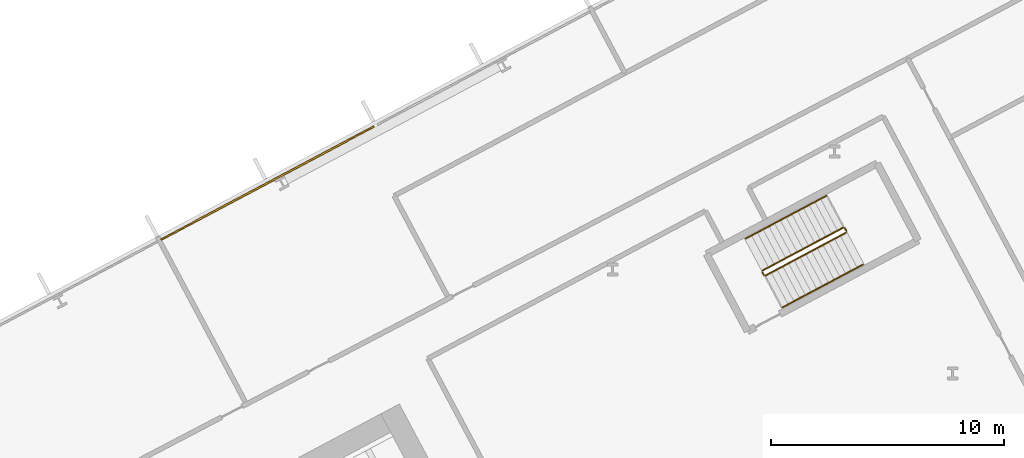
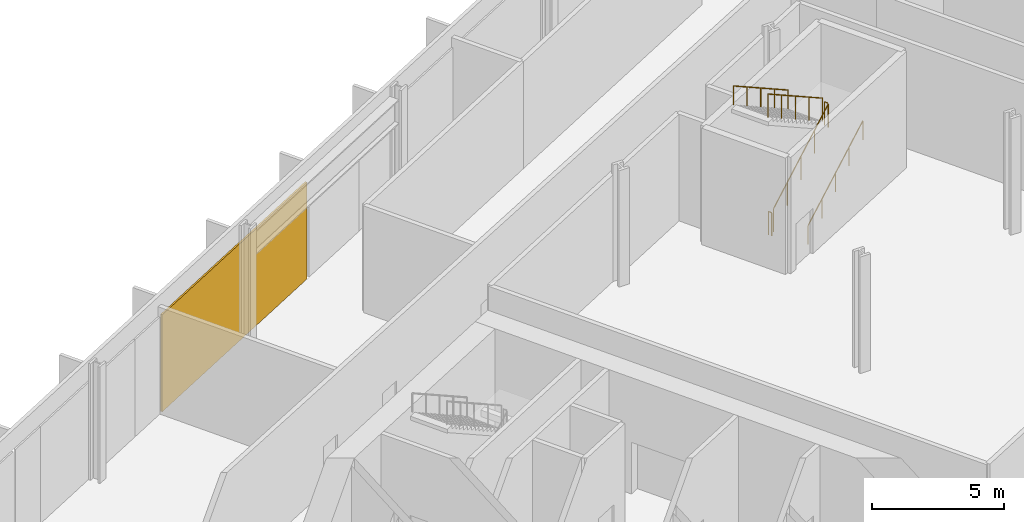
# One storey, part 30 of 31: 6 railings, 1 covering, 1 element without a shape of its own.
"""IFC4 building model written with IfcOpenShell, lengths in metres."""

from ifc_helpers import new_model, si_unit, direction, frame, origin, origin_2d, place, context, subcontext, project, spatial, polyline, rectangle, outline, extrude, material, layer, layer_set, type_object, element, aggregate, save


model = new_model("IFC4")

# Units and contexts
model_context = context("Model", 3, precision=1e-05, world=origin(), true_north=direction((0.0, 1.0)))
body_context = subcontext(model_context, "Body", "Model", "MODEL_VIEW")
ifc_project = project(units=[si_unit("LENGTHUNIT", "METRE"), si_unit("AREAUNIT", "SQUARE_METRE"), si_unit("VOLUMEUNIT", "CUBIC_METRE"), si_unit("PLANEANGLEUNIT", "RADIAN"), si_unit("MASSUNIT", "GRAM", prefix="KILO")], contexts=[model_context])

# Site, building, storey
site_placement = place(None, origin())
site = spatial("IfcSite", under=ifc_project, at=site_placement, CompositionType="ELEMENT")
building_placement = place(site_placement, origin())
building = spatial("IfcBuilding", under=site, at=building_placement, Name="Cormorant Relay Tower", CompositionType="ELEMENT")
storey_placement = place(building_placement, frame((0.0, 0.0, 12.199951171875)))
storey = spatial("IfcBuildingStorey", under=building, at=storey_placement, Name="L02", CompositionType="ELEMENT", Elevation=12.199951171875)

# Curtain wall, covering
ifc_material_1 = material(Name="Aluminium 6063-T6 anodised bronze", Category="aluminium")
ifc_layer_1 = layer(ifc_material_1, 0.235107421875)
ifc_layer_set_1 = layer_set([ifc_layer_1], Name="CW6 data hall curtain wall with mineral wool panels")
curtain_wall_type = type_object("IfcCurtainWallType", Name="CW6 data hall curtain wall with mineral wool panels", PredefinedType="NOTDEFINED", material=ifc_layer_set_1)
curtain_wall_placement = place(storey_placement, origin())
curtain_wall = element("IfcCurtainWall", 1, at=curtain_wall_placement, inside=storey, type_object=curtain_wall_type, Name="CW6 curtain wall 6", PredefinedType="NOTDEFINED")
ifc_material_2 = material(Name="Mineral wool cored anodised bronze aluminium cassette panel", Category="aluminium")
ifc_layer_2 = layer(ifc_material_2, 0.074951171875)
ifc_layer_set_2 = layer_set([ifc_layer_2], Name="CW6 mineral wool cassette panel 75")
covering_type = type_object("IfcCoveringType", Name="CW6 mineral wool cassette panel 75", PredefinedType="CLADDING", material=ifc_layer_set_2)
covering_placement = place(storey_placement, frame((23.193603515625, 36.15869140625, 0.0), z_axis=(0.0, 0.0, 1.0), x_axis=(-0.882947592859, -0.469471562786, 0.0)))
covering = element("IfcCovering", 2, at=covering_placement, type_object=covering_type, Name="CW6 panel S05", PredefinedType="CLADDING", context=body_context, shape_type="SweptSolid", body=[
    extrude(rectangle(XDim=10.365234375, YDim=0.074951171875, at=origin_2d()), origin(), (0.0, 0.0, 1.0), 4.5),
])
aggregate(curtain_wall, [covering])

# Railings
ifc_material_3 = material(Name="Steel ASTM A572 Grade 50 (Fy 345 MPa)", Category="steel")
railing_type_1 = type_object("IfcRailingType", Name="Stair guard 1100", PredefinedType="GUARDRAIL", material=ifc_material_3)
railing_1_placement = place(storey_placement, frame((44.583740234375, 32.186279296875, 0.179931640625)))
element("IfcRailing", 3, at=railing_1_placement, inside=storey, type_object=railing_type_1, Name="L02 RB1 stair guard 1", PredefinedType="GUARDRAIL", context=body_context, shape_type="SweptSolid", body=[
    extrude(outline(polyline([(0.022216796875, 0.00927734375), (0.00927734375, 0.022216796875), (-0.00927734375, 0.022216796875), (-0.022216796875, 0.00927734375), (-0.022216796875, -0.00927734375), (-0.00927734375, -0.022216796875), (0.00927734375, -0.022216796875), (0.022216796875, -0.00927734375), (0.022216796875, 0.00927734375)])), frame((0.0, 0.0, 1.076171875), z_axis=(0.74271721126, 0.394907409077, 0.540758062681), x_axis=(-0.469469396681, 0.882948744594, 0.0)), (0.0, 0.0, 1.0), 4.66015625),
    extrude(outline(polyline([(0.019287109375, 0.008056640625), (0.008056640625, 0.019287109375), (-0.008056640625, 0.019287109375), (-0.019287109375, 0.008056640625), (-0.019287109375, -0.008056640625), (-0.008056640625, -0.019287109375), (0.008056640625, -0.019287109375), (0.019287109375, -0.008056640625), (0.019287109375, 0.008056640625)])), origin(), (0.0, 0.0, 1.0), 1.052001953125),
    extrude(outline(polyline([(0.019287109375, 0.008056640625), (0.008056640625, 0.019287109375), (-0.008056640625, 0.019287109375), (-0.019287109375, 0.008056640625), (-0.019287109375, -0.008056640625), (-0.008056640625, -0.019287109375), (0.008056640625, -0.019287109375), (0.019287109375, -0.008056640625), (0.019287109375, 0.008056640625)])), frame((0.865234375, 0.4599609375, 0.6298828125)), (0.0, 0.0, 1.0), 1.052001953125),
    extrude(outline(polyline([(0.019287109375, 0.008056640625), (0.008056640625, 0.019287109375), (-0.008056640625, 0.019287109375), (-0.019287109375, 0.008056640625), (-0.019287109375, -0.008056640625), (-0.008056640625, -0.019287109375), (0.008056640625, -0.019287109375), (0.019287109375, -0.008056640625), (0.019287109375, 0.008056640625)])), frame((1.73046875, 0.920166015625, 1.260009765625)), (0.0, 0.0, 1.0), 1.052001953125),
    extrude(outline(polyline([(0.019287109375, 0.008056640625), (0.008056640625, 0.019287109375), (-0.008056640625, 0.019287109375), (-0.019287109375, 0.008056640625), (-0.019287109375, -0.008056640625), (-0.008056640625, -0.019287109375), (0.008056640625, -0.019287109375), (0.019287109375, -0.008056640625), (0.019287109375, 0.008056640625)])), frame((2.595947265625, 1.38037109375, 1.89013671875)), (0.0, 0.0, 1.0), 1.052001953125),
    extrude(outline(polyline([(0.019287109375, 0.008056640625), (0.008056640625, 0.019287109375), (-0.008056640625, 0.019287109375), (-0.019287109375, 0.008056640625), (-0.019287109375, -0.008056640625), (-0.008056640625, -0.019287109375), (0.008056640625, -0.019287109375), (0.019287109375, -0.008056640625), (0.019287109375, 0.008056640625)])), frame((3.461181640625, 1.84033203125, 2.52001953125)), (0.0, 0.0, 1.0), 1.052001953125),
])
railing_2_placement = place(storey_placement, frame((48.065673828125, 34.09423828125, 2.699951171875)))
element("IfcRailing", 4, at=railing_2_placement, inside=storey, type_object=railing_type_1, Name="L02 RB1 stair guard 2", PredefinedType="GUARDRAIL", context=body_context, shape_type="SweptSolid", body=[
    extrude(outline(polyline([(0.022216796875, 0.00927734375), (0.00927734375, 0.022216796875), (-0.00927734375, 0.022216796875), (-0.022216796875, 0.00927734375), (-0.022216796875, -0.00927734375), (-0.00927734375, -0.022216796875), (0.00927734375, -0.022216796875), (0.022216796875, -0.00927734375), (0.022216796875, 0.00927734375)])), frame((0.0, 0.0, 1.076171875), z_axis=(-0.469828648786, 0.882757634224, 0.0), x_axis=(-0.882757634224, -0.469828648786, 0.0)), (0.0, 0.0, 1.0), 0.150146484375),
    extrude(outline(polyline([(0.019287109375, 0.008056640625), (0.008056640625, 0.019287109375), (-0.008056640625, 0.019287109375), (-0.019287109375, 0.008056640625), (-0.019287109375, -0.008056640625), (-0.008056640625, -0.019287109375), (0.008056640625, -0.019287109375), (0.019287109375, -0.008056640625), (0.019287109375, 0.008056640625)])), origin(), (0.0, 0.0, 1.0), 1.052001953125),
    extrude(outline(polyline([(0.019287109375, 0.008056640625), (0.008056640625, 0.019287109375), (-0.008056640625, 0.019287109375), (-0.019287109375, 0.008056640625), (-0.019287109375, -0.008056640625), (-0.008056640625, -0.019287109375), (0.008056640625, -0.019287109375), (0.019287109375, -0.008056640625), (0.019287109375, 0.008056640625)])), frame((-0.070556640625, 0.132568359375, 0.0)), (0.0, 0.0, 1.0), 1.052001953125),
])
railing_3_placement = place(storey_placement, frame((47.927490234375, 34.24755859375, 2.880126953125)))
element("IfcRailing", 5, at=railing_3_placement, inside=storey, type_object=railing_type_1, Name="L02 RB1 stair guard 3", PredefinedType="GUARDRAIL", context=body_context, shape_type="SweptSolid", body=[
    extrude(outline(polyline([(0.022216796875, 0.00927734375), (0.00927734375, 0.022216796875), (-0.00927734375, 0.022216796875), (-0.022216796875, 0.00927734375), (-0.022216796875, -0.00927734375), (-0.00927734375, -0.022216796875), (0.00927734375, -0.022216796875), (0.022216796875, -0.00927734375), (0.022216796875, 0.00927734375)])), frame((0.0, 0.0, 1.076171875), z_axis=(-0.74271721126, -0.394907409077, 0.540758062681), x_axis=(0.469469396681, -0.882948744594, 0.0)), (0.0, 0.0, 1.0), 4.66015625),
    extrude(outline(polyline([(0.019287109375, 0.008056640625), (0.008056640625, 0.019287109375), (-0.008056640625, 0.019287109375), (-0.019287109375, 0.008056640625), (-0.019287109375, -0.008056640625), (-0.008056640625, -0.019287109375), (0.008056640625, -0.019287109375), (0.019287109375, -0.008056640625), (0.019287109375, 0.008056640625)])), origin(), (0.0, 0.0, 1.0), 1.052001953125),
    extrude(outline(polyline([(0.019287109375, 0.008056640625), (0.008056640625, 0.019287109375), (-0.008056640625, 0.019287109375), (-0.019287109375, 0.008056640625), (-0.019287109375, -0.008056640625), (-0.008056640625, -0.019287109375), (0.008056640625, -0.019287109375), (0.019287109375, -0.008056640625), (0.019287109375, 0.008056640625)])), frame((-0.865234375, -0.4599609375, 0.6298828125)), (0.0, 0.0, 1.0), 1.052001953125),
    extrude(outline(polyline([(0.019287109375, 0.008056640625), (0.008056640625, 0.019287109375), (-0.008056640625, 0.019287109375), (-0.019287109375, 0.008056640625), (-0.019287109375, -0.008056640625), (-0.008056640625, -0.019287109375), (0.008056640625, -0.019287109375), (0.019287109375, -0.008056640625), (0.019287109375, 0.008056640625)])), frame((-1.73046875, -0.920166015625, 1.260009765625)), (0.0, 0.0, 1.0), 1.052001953125),
    extrude(outline(polyline([(0.019287109375, 0.008056640625), (0.008056640625, 0.019287109375), (-0.008056640625, 0.019287109375), (-0.019287109375, 0.008056640625), (-0.019287109375, -0.008056640625), (-0.008056640625, -0.019287109375), (0.008056640625, -0.019287109375), (0.019287109375, -0.008056640625), (0.019287109375, 0.008056640625)])), frame((-2.595947265625, -1.38037109375, 1.89013671875)), (0.0, 0.0, 1.0), 1.052001953125),
    extrude(outline(polyline([(0.019287109375, 0.008056640625), (0.008056640625, 0.019287109375), (-0.008056640625, 0.019287109375), (-0.019287109375, 0.008056640625), (-0.019287109375, -0.008056640625), (-0.008056640625, -0.019287109375), (0.008056640625, -0.019287109375), (0.019287109375, -0.008056640625), (0.019287109375, 0.008056640625)])), frame((-3.461181640625, -1.84033203125, 2.52001953125)), (0.0, 0.0, 1.0), 1.052001953125),
])
railing_4_placement = place(storey_placement, frame((44.51611328125, 32.20703125, 0.0)))
element("IfcRailing", 6, at=railing_4_placement, inside=storey, type_object=railing_type_1, Name="L02 RB1 stair guard 4", PredefinedType="GUARDRAIL", context=body_context, shape_type="SweptSolid", body=[
    extrude(outline(polyline([(0.022216796875, 0.00927734375), (0.00927734375, 0.022216796875), (-0.00927734375, 0.022216796875), (-0.022216796875, 0.00927734375), (-0.022216796875, -0.00927734375), (-0.00927734375, -0.022216796875), (0.00927734375, -0.022216796875), (0.022216796875, -0.00927734375), (0.022216796875, 0.00927734375)])), frame((0.0, 0.0, 1.076171875), z_axis=(-0.46856034887, 0.8834314911, 0.0), x_axis=(-0.8834314911, -0.46856034887, 0.0)), (0.0, 0.0, 1.0), 0.150146484375),
    extrude(outline(polyline([(0.019287109375, 0.008056640625), (0.008056640625, 0.019287109375), (-0.008056640625, 0.019287109375), (-0.019287109375, 0.008056640625), (-0.019287109375, -0.008056640625), (-0.008056640625, -0.019287109375), (0.008056640625, -0.019287109375), (0.019287109375, -0.008056640625), (0.019287109375, 0.008056640625)])), origin(), (0.0, 0.0, 1.0), 1.052001953125),
    extrude(outline(polyline([(0.019287109375, 0.008056640625), (0.008056640625, 0.019287109375), (-0.008056640625, 0.019287109375), (-0.019287109375, 0.008056640625), (-0.019287109375, -0.008056640625), (-0.008056640625, -0.019287109375), (0.008056640625, -0.019287109375), (0.019287109375, -0.008056640625), (0.019287109375, 0.008056640625)])), frame((-0.0703125, 0.132568359375, 0.0)), (0.0, 0.0, 1.0), 1.052001953125),
])
ifc_material_4 = material(Name="Steel ASTM A572 Grade 50 (Fy 345 MPa)", Category="steel")
railing_type_2 = type_object("IfcRailingType", Name="Stair handrail 900", PredefinedType="HANDRAIL", material=ifc_material_4)
railing_5_placement = place(storey_placement, frame((45.3115234375, 30.81787109375, 0.179931640625)))
element("IfcRailing", 7, at=railing_5_placement, inside=storey, type_object=railing_type_2, Name="L02 RB1 stair handrail 1", PredefinedType="HANDRAIL", context=body_context, shape_type="SweptSolid", body=[
    extrude(outline(polyline([(0.022216796875, 0.00927734375), (0.00927734375, 0.022216796875), (-0.00927734375, 0.022216796875), (-0.022216796875, 0.00927734375), (-0.022216796875, -0.00927734375), (-0.00927734375, -0.022216796875), (0.00927734375, -0.022216796875), (0.022216796875, -0.00927734375), (0.022216796875, 0.00927734375)])), frame((0.0, 0.0, 0.8759765625), z_axis=(0.74271721126, 0.394907409077, 0.540758062681), x_axis=(-0.469469396681, 0.882948744594, 0.0)), (0.0, 0.0, 1.0), 4.66015625),
    extrude(outline(polyline([(0.019287109375, 0.008056640625), (0.008056640625, 0.019287109375), (-0.008056640625, 0.019287109375), (-0.019287109375, 0.008056640625), (-0.019287109375, -0.008056640625), (-0.008056640625, -0.019287109375), (0.008056640625, -0.019287109375), (0.019287109375, -0.008056640625), (0.019287109375, 0.008056640625)])), origin(), (0.0, 0.0, 1.0), 0.851806640625),
    extrude(outline(polyline([(0.019287109375, 0.008056640625), (0.008056640625, 0.019287109375), (-0.008056640625, 0.019287109375), (-0.019287109375, 0.008056640625), (-0.019287109375, -0.008056640625), (-0.008056640625, -0.019287109375), (0.008056640625, -0.019287109375), (0.019287109375, -0.008056640625), (0.019287109375, 0.008056640625)])), frame((0.865234375, 0.4599609375, 0.6298828125)), (0.0, 0.0, 1.0), 0.851806640625),
    extrude(outline(polyline([(0.019287109375, 0.008056640625), (0.008056640625, 0.019287109375), (-0.008056640625, 0.019287109375), (-0.019287109375, 0.008056640625), (-0.019287109375, -0.008056640625), (-0.008056640625, -0.019287109375), (0.008056640625, -0.019287109375), (0.019287109375, -0.008056640625), (0.019287109375, 0.008056640625)])), frame((1.73046875, 0.920166015625, 1.260009765625)), (0.0, 0.0, 1.0), 0.851806640625),
    extrude(outline(polyline([(0.019287109375, 0.008056640625), (0.008056640625, 0.019287109375), (-0.008056640625, 0.019287109375), (-0.019287109375, 0.008056640625), (-0.019287109375, -0.008056640625), (-0.008056640625, -0.019287109375), (0.008056640625, -0.019287109375), (0.019287109375, -0.008056640625), (0.019287109375, 0.008056640625)])), frame((2.595947265625, 1.38037109375, 1.89013671875)), (0.0, 0.0, 1.0), 0.851806640625),
    extrude(outline(polyline([(0.019287109375, 0.008056640625), (0.008056640625, 0.019287109375), (-0.008056640625, 0.019287109375), (-0.019287109375, 0.008056640625), (-0.019287109375, -0.008056640625), (-0.008056640625, -0.019287109375), (0.008056640625, -0.019287109375), (0.019287109375, -0.008056640625), (0.019287109375, 0.008056640625)])), frame((3.461181640625, 1.84033203125, 2.52001953125)), (0.0, 0.0, 1.0), 0.851806640625),
])
railing_6_placement = place(storey_placement, frame((47.199951171875, 35.615966796875, 2.880126953125)))
element("IfcRailing", 8, at=railing_6_placement, inside=storey, type_object=railing_type_2, Name="L02 RB1 stair handrail 2", PredefinedType="HANDRAIL", context=body_context, shape_type="SweptSolid", body=[
    extrude(outline(polyline([(0.022216796875, 0.00927734375), (0.00927734375, 0.022216796875), (-0.00927734375, 0.022216796875), (-0.022216796875, 0.00927734375), (-0.022216796875, -0.00927734375), (-0.00927734375, -0.022216796875), (0.00927734375, -0.022216796875), (0.022216796875, -0.00927734375), (0.022216796875, 0.00927734375)])), frame((0.0, 0.0, 0.8759765625), z_axis=(-0.74271721126, -0.394907409077, 0.540758062681), x_axis=(0.469469396681, -0.882948744594, 0.0)), (0.0, 0.0, 1.0), 4.66015625),
    extrude(outline(polyline([(0.019287109375, 0.008056640625), (0.008056640625, 0.019287109375), (-0.008056640625, 0.019287109375), (-0.019287109375, 0.008056640625), (-0.019287109375, -0.008056640625), (-0.008056640625, -0.019287109375), (0.008056640625, -0.019287109375), (0.019287109375, -0.008056640625), (0.019287109375, 0.008056640625)])), origin(), (0.0, 0.0, 1.0), 0.851806640625),
    extrude(outline(polyline([(0.019287109375, 0.008056640625), (0.008056640625, 0.019287109375), (-0.008056640625, 0.019287109375), (-0.019287109375, 0.008056640625), (-0.019287109375, -0.008056640625), (-0.008056640625, -0.019287109375), (0.008056640625, -0.019287109375), (0.019287109375, -0.008056640625), (0.019287109375, 0.008056640625)])), frame((-0.865234375, -0.4599609375, 0.6298828125)), (0.0, 0.0, 1.0), 0.851806640625),
    extrude(outline(polyline([(0.019287109375, 0.008056640625), (0.008056640625, 0.019287109375), (-0.008056640625, 0.019287109375), (-0.019287109375, 0.008056640625), (-0.019287109375, -0.008056640625), (-0.008056640625, -0.019287109375), (0.008056640625, -0.019287109375), (0.019287109375, -0.008056640625), (0.019287109375, 0.008056640625)])), frame((-1.73046875, -0.920166015625, 1.260009765625)), (0.0, 0.0, 1.0), 0.851806640625),
    extrude(outline(polyline([(0.019287109375, 0.008056640625), (0.008056640625, 0.019287109375), (-0.008056640625, 0.019287109375), (-0.019287109375, 0.008056640625), (-0.019287109375, -0.008056640625), (-0.008056640625, -0.019287109375), (0.008056640625, -0.019287109375), (0.019287109375, -0.008056640625), (0.019287109375, 0.008056640625)])), frame((-2.595947265625, -1.38037109375, 1.89013671875)), (0.0, 0.0, 1.0), 0.851806640625),
    extrude(outline(polyline([(0.019287109375, 0.008056640625), (0.008056640625, 0.019287109375), (-0.008056640625, 0.019287109375), (-0.019287109375, 0.008056640625), (-0.019287109375, -0.008056640625), (-0.008056640625, -0.019287109375), (0.008056640625, -0.019287109375), (0.019287109375, -0.008056640625), (0.019287109375, 0.008056640625)])), frame((-3.461181640625, -1.84033203125, 2.52001953125)), (0.0, 0.0, 1.0), 0.851806640625),
])

save(model, "model.ifc")
